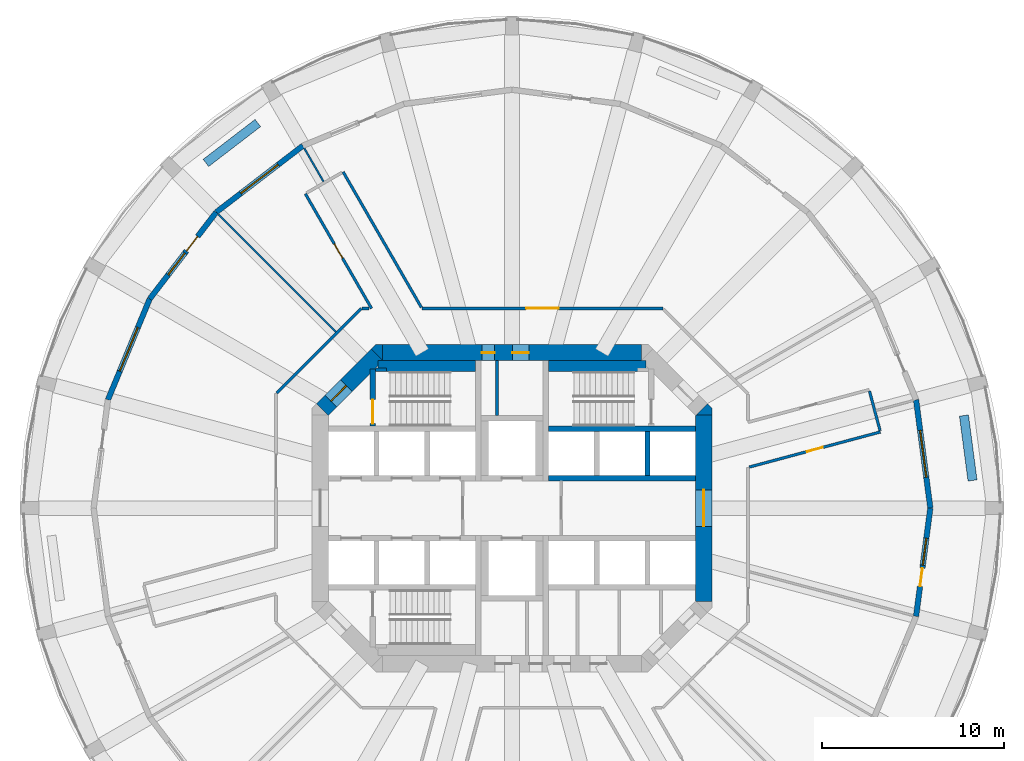
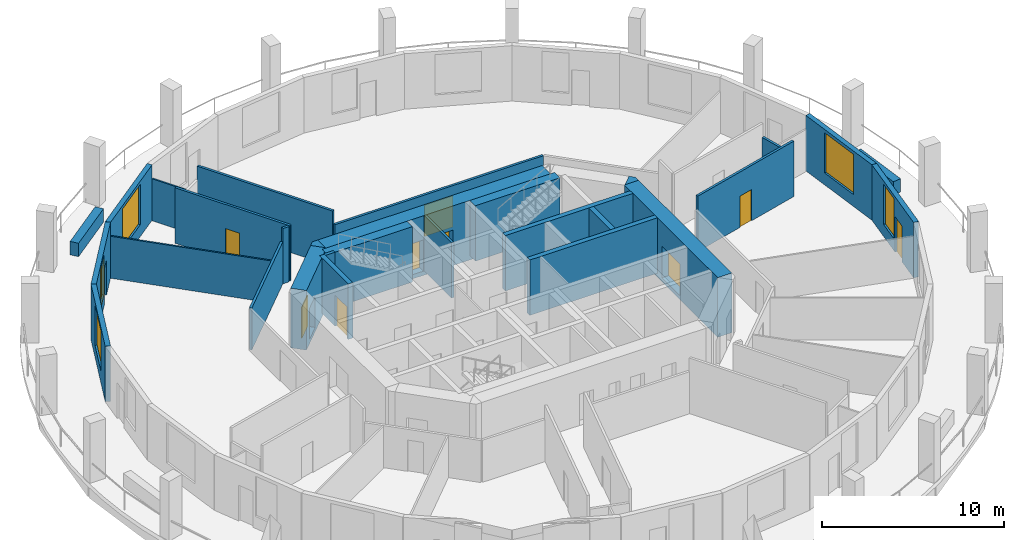
# One storey, part 5 of 9: 29 walls, 10 doors, 5 windows, 15 openings.
"""IFC4 building model written with IfcOpenShell, lengths in metres."""

import ifcopenshell
import ifcopenshell.guid

model = None  # the IFC model being written
_history = None  # IfcOwnerHistory: only IFC2X3 demands one
_inside = {}  # id of a spatial element -> (the spatial element, [elements in it])
_under = {}  # id of a project, library or spatial element -> (it, [spatial elements below it])
_declared = {}  # id of a project -> (the project, [libraries it declares])
_typed = {}  # id of a type object -> (the type object, [elements of that type])
_made_of = {}  # id of a material, layer set ... -> (it, [elements and type objects made of it])


def new_model(schema):
    """Start an empty IFC model of exactly this schema.

    Asked for "IFC4X3", IfcOpenShell would pick the latest addendum, in which some entities
    have other attributes; the version numbers below select the first issue.
    IFC2X3 requires an IfcOwnerHistory on every rooted entity: one is made here for all.
    """
    global model, _history
    if schema == "IFC4X3":
        model = ifcopenshell.file(schema_version=(4, 3, 0, 0))
    else:
        model = ifcopenshell.file(schema=schema)
    _inside.clear()
    _under.clear()
    _declared.clear()
    _typed.clear()
    _made_of.clear()
    _history = None
    if model.schema == "IFC2X3":
        org = make("IfcOrganization", Name="unknown")
        user = make(
            "IfcPersonAndOrganization",
            ThePerson=make("IfcPerson", FamilyName="unknown"),
            TheOrganization=org,
        )
        app = make(
            "IfcApplication",
            ApplicationDeveloper=org,
            Version="unknown",
            ApplicationFullName="unknown",
            ApplicationIdentifier="unknown",
        )
        _history = make(
            "IfcOwnerHistory",
            OwningUser=user,
            OwningApplication=app,
            ChangeAction="ADDED",
            CreationDate=0,
        )
    return model


def make(cls, **values):
    """One entity of the class cls with the attributes given. An attribute that is None is left unset."""
    return model.create_entity(
        cls, **{name: value for name, value in values.items() if value is not None}
    )


def rooted(cls, **values):
    """An entity with a GlobalId (a new one), such as an element, a storey or a relation."""
    return make(cls, GlobalId=ifcopenshell.guid.new(), OwnerHistory=_history, **values)


def si_unit(unit_type, name, prefix=None):
    """IfcSIUnit, for example si_unit("LENGTHUNIT", "METRE", prefix="MILLI")."""
    return make("IfcSIUnit", UnitType=unit_type, Prefix=prefix, Name=name)


def assignment(units):
    """IfcUnitAssignment: the units of a project."""
    return None if units is None else make("IfcUnitAssignment", Units=units)


def point(xyz):
    """IfcCartesianPoint."""
    return None if xyz is None else make("IfcCartesianPoint", Coordinates=xyz)


def direction(xyz):
    """IfcDirection."""
    return None if xyz is None else make("IfcDirection", DirectionRatios=xyz)


def frame(location, z_axis=None, x_axis=None):
    """IfcAxis2Placement3D, a coordinate frame: its origin and axes. An axis left out is left unset."""
    return make(
        "IfcAxis2Placement3D",
        Location=point(location),
        Axis=direction(z_axis),
        RefDirection=direction(x_axis),
    )


def frame_2d(location, x_axis=None):
    """IfcAxis2Placement2D, a coordinate frame in the plane: its origin and x axis."""
    return make(
        "IfcAxis2Placement2D", Location=point(location), RefDirection=direction(x_axis)
    )


def origin():
    """The frame at (0, 0, 0) with its axes left unset."""
    return frame((0.0, 0.0, 0.0))


def place(relative_to, where):
    """IfcLocalPlacement: puts the frame where relative to a parent placement (None: the world)."""
    return make(
        "IfcLocalPlacement", PlacementRelTo=relative_to, RelativePlacement=where
    )


def context(
    kind, dimensions, precision=None, world=None, true_north=None, identifier=None
):
    """IfcGeometricRepresentationContext, for example the 3D "Model" context."""
    return make(
        "IfcGeometricRepresentationContext",
        ContextIdentifier=identifier,
        ContextType=kind,
        CoordinateSpaceDimension=dimensions,
        Precision=precision,
        WorldCoordinateSystem=world,
        TrueNorth=true_north,
    )


def subcontext(parent, identifier, kind, view, scale=None):
    """IfcGeometricRepresentationSubContext, for example "Body" below "Model"."""
    return make(
        "IfcGeometricRepresentationSubContext",
        ContextIdentifier=identifier,
        ContextType=kind,
        ParentContext=parent,
        TargetScale=scale,
        TargetView=view,
    )


def project(units=None, contexts=None):
    """IfcProject with its units and contexts."""
    return rooted(
        "IfcProject",
        Name="project",
        RepresentationContexts=contexts,
        UnitsInContext=assignment(units),
    )


def spatial(cls, under=None, at=None, **own):
    """A site, building, storey or space (cls), placed at a placement, below another one or the project."""
    s = rooted(cls, ObjectPlacement=at, **own)
    if under is not None:
        _under.setdefault(under.id(), (under, []))[1].append(s)
    return s


def polyline(points):
    """IfcPolyline through the points."""
    return make("IfcPolyline", Points=[point(p) for p in points])


def profile(cls, at=None, kind="AREA", **sizes):
    """A parametric profile (cls). Its sizes go by their IFC names, for example OverallWidth=200.0."""
    return make(cls, ProfileType=kind, Position=at, **sizes)


def rectangle(**sizes):
    """IfcRectangleProfileDef."""
    return profile("IfcRectangleProfileDef", **sizes)


def outline(outer, holes=None, kind="AREA"):
    """IfcArbitraryClosedProfileDef: a profile drawn as a closed curve; with holes, ...WithVoids."""
    if holes is None:
        return make("IfcArbitraryClosedProfileDef", ProfileType=kind, OuterCurve=outer)
    return make(
        "IfcArbitraryProfileDefWithVoids",
        ProfileType=kind,
        OuterCurve=outer,
        InnerCurves=holes,
    )


def extrude(swept, where, along, depth):
    """IfcExtrudedAreaSolid: the profile swept, set in the frame where, extruded along a direction by depth."""
    return make(
        "IfcExtrudedAreaSolid",
        SweptArea=swept,
        Position=where,
        ExtrudedDirection=direction(along),
        Depth=depth,
    )


def shape(context_of_items, identifier, shape_type, items):
    """IfcShapeRepresentation: the items that make up one representation, for example the "Body"."""
    return make(
        "IfcShapeRepresentation",
        ContextOfItems=context_of_items,
        RepresentationIdentifier=identifier,
        RepresentationType=shape_type,
        Items=items,
    )


def material(Name=None, Category=None):
    """IfcMaterial."""
    return make("IfcMaterial", Name=Name, Category=Category)


def layer(
    of_material, thickness, ventilated=None, Name=None, Category=None, Priority=None
):
    """IfcMaterialLayer: one layer of a wall or slab, of a material (None: an air gap)."""
    return make(
        "IfcMaterialLayer",
        Material=of_material,
        LayerThickness=thickness,
        IsVentilated=ventilated,
        Name=Name,
        Category=Category,
        Priority=Priority,
    )


def layer_set(layers, Name=None):
    """IfcMaterialLayerSet."""
    return make("IfcMaterialLayerSet", MaterialLayers=layers, LayerSetName=Name)


def made_of(thing, what):
    """Note that an element or type object is made of a material, layer set ...; save() writes the relation."""
    if what is not None:
        _made_of.setdefault(what.id(), (what, []))[1].append(thing)
    return thing


def type_object(cls, material=None, **own):
    """A type object (cls), such as IfcWallType, which elements share."""
    return made_of(rooted(cls, **own), material)


def element(
    cls,
    number,
    at=None,
    inside=None,
    cuts=None,
    type_object=None,
    material=None,
    context=None,
    identifier="Body",
    shape_type=None,
    held_by="IfcProductDefinitionShape",
    body=None,
    shapes=None,
    **own,
):
    """One element of the class cls, such as IfcWall. Its Tag is "e" and its number.

    at: its placement. inside: the storey or other place that contains it. cuts: it is an
    opening in that element (IfcRelVoidsElement). A single representation is given by context,
    identifier, shape_type and body (its items); several are given by shapes. held_by: the class
    of the entity that holds the representations. save() writes the other relations.
    """
    e = rooted(cls, Tag="e%d" % number, ObjectPlacement=at, **own)
    if body is not None:
        shapes = [shape(context, identifier, shape_type, body)]
    if shapes is not None:
        e.Representation = make(held_by, Representations=shapes)
    if inside is not None:
        _inside.setdefault(inside.id(), (inside, []))[1].append(e)
    if cuts is not None:
        rooted(
            "IfcRelVoidsElement", RelatingBuildingElement=cuts, RelatedOpeningElement=e
        )
    if type_object is not None:
        _typed.setdefault(type_object.id(), (type_object, []))[1].append(e)
    return made_of(e, material)


def fill(opening, filler):
    """IfcRelFillsElement: the door or window that sits in an opening."""
    return rooted(
        "IfcRelFillsElement",
        RelatingOpeningElement=opening,
        RelatedBuildingElement=filler,
    )


def aggregate(whole, parts):
    """IfcRelAggregates: a whole, such as a stair, and the parts it consists of."""
    return rooted("IfcRelAggregates", RelatingObject=whole, RelatedObjects=parts)


def save(model, path):
    """Write the relations noted so far, then the file.

    IfcRelAggregates (storeys below a building ...), IfcRelContainedInSpatialStructure (elements
    in a storey), IfcRelDefinesByType, IfcRelAssociatesMaterial and IfcRelDeclares: one each for
    every whole, place, type object, material and project.
    """
    for whole, parts in _under.values():
        aggregate(whole, parts)
    for where, things in _inside.values():
        rooted(
            "IfcRelContainedInSpatialStructure",
            RelatedElements=things,
            RelatingStructure=where,
        )
    for kind, things in _typed.values():
        rooted("IfcRelDefinesByType", RelatedObjects=things, RelatingType=kind)
    for what, things in _made_of.values():
        rooted("IfcRelAssociatesMaterial", RelatedObjects=things, RelatingMaterial=what)
    for by, libraries in _declared.values():
        rooted("IfcRelDeclares", RelatingContext=by, RelatedDefinitions=libraries)
    model.write(path)


model = new_model("IFC4")

# Units and contexts
model_context = context("Model", 3, precision=1e-05, world=origin(), true_north=direction((0.0, 1.0)))
body_context = subcontext(model_context, "Body", "Model", "MODEL_VIEW")
ifc_project = project(units=[si_unit("LENGTHUNIT", "METRE"), si_unit("AREAUNIT", "SQUARE_METRE"), si_unit("VOLUMEUNIT", "CUBIC_METRE"), si_unit("PLANEANGLEUNIT", "RADIAN"), si_unit("MASSUNIT", "GRAM", prefix="KILO")], contexts=[model_context])

# Site, building, storey
site_placement = place(None, origin())
site = spatial("IfcSite", under=ifc_project, at=site_placement, CompositionType="ELEMENT")
building_placement = place(site_placement, origin())
building = spatial("IfcBuilding", under=site, at=building_placement, Name="Torre Triforio", CompositionType="ELEMENT")
storey_placement = place(building_placement, frame((0.0, 0.0, 67.0)))
storey = spatial("IfcBuildingStorey", under=building, at=storey_placement, Name="L14", CompositionType="ELEMENT", Elevation=67.0)

# Wall, openings, doors
ifc_material_1 = material(Name="Concrete C60", Category="concrete")
ifc_layer_1 = layer(ifc_material_1, 0.89990234375)
ifc_layer_set_1 = layer_set([ifc_layer_1], Name="Concrete C60")
wall_type_1 = type_object("IfcWallType", Name="Core wall 900 mm C60 EI 120", PredefinedType="SHEAR", material=ifc_layer_set_1)
wall_1_placement = place(storey_placement, frame((-7.1298828125, 8.550048828125, -0.280029296875), z_axis=(0.0, 0.0, 1.0), x_axis=(1.0, 0.0, 0.0)))
wall_1 = element("IfcWall", 1, at=wall_1_placement, inside=storey, type_object=wall_type_1, Name="Core wall", PredefinedType="SHEAR", context=body_context, shape_type="SweptSolid", body=[
    extrude(rectangle(XDim=14.259765625, YDim=0.89990234375, at=frame_2d((7.1298828125, 0.0))), origin(), (0.0, 0.0, 1.0), 4.0),
])
opening_1_placement = place(wall_1_placement, frame((5.47998046875, 0.0, 0.280029296875)))
opening_1 = element("IfcOpeningElement", 2, at=opening_1_placement, cuts=wall_1, Name="Opening RISER-N", PredefinedType="OPENING", context=body_context, shape_type="SweptSolid", body=[
    extrude(rectangle(XDim=0.699951171875, YDim=2.10009765625, at=frame_2d((0.35009765625, 1.050048828125))), frame((0.0, 0.4599609375, 0.0), z_axis=(0.0, -1.0, 0.0), x_axis=(1.0, 0.0, 0.0)), (0.0, 0.0, 1.0), 0.919921875),
])
opening_2_placement = place(wall_1_placement, frame((7.155029296875, 0.0, 0.280029296875)))
opening_2 = element("IfcOpeningElement", 3, at=opening_2_placement, cuts=wall_1, Name="Opening NE-01", PredefinedType="OPENING", context=body_context, shape_type="SweptSolid", body=[
    extrude(rectangle(XDim=0.89990234375, YDim=2.10009765625, at=frame_2d((0.449951171875, 1.050048828125))), frame((0.0, 0.4599609375, 0.0), z_axis=(0.0, -1.0, 0.0), x_axis=(1.0, 0.0, 0.0)), (0.0, 0.0, 1.0), 0.919921875),
])
ifc_material_2 = material(Name="Hollow metal fire door leaf")
door_type_1 = type_object("IfcDoorType", Name="Riser door 700 x 2100 EI 60", OperationType="NOTDEFINED", PredefinedType="DOOR", material=ifc_material_2)
door_1_placement = place(opening_1_placement, origin())
door_1 = element("IfcDoor", 4, at=door_1_placement, inside=storey, type_object=door_type_1, Name="Core door RISER-N", OperationType="SINGLE_SWING_LEFT", OverallHeight=2.10009765625, OverallWidth=0.699951171875, PredefinedType="DOOR", context=body_context, shape_type="SweptSolid", body=[
    extrude(rectangle(XDim=0.699951171875, YDim=2.10009765625, at=frame_2d((0.35009765625, 1.050048828125))), frame((0.0, 0.02490234375, 0.0), z_axis=(0.0, -1.0, 0.0), x_axis=(1.0, 0.0, 0.0)), (0.0, 0.0, 1.0), 0.050048828125),
])
fill(opening_1, door_1)
door_type_2 = type_object("IfcDoorType", Name="Room door 900 x 2100 EI 60", OperationType="NOTDEFINED", PredefinedType="DOOR", material=ifc_material_2)
door_2_placement = place(opening_2_placement, origin())
door_2 = element("IfcDoor", 5, at=door_2_placement, inside=storey, type_object=door_type_2, Name="Core door NE-01", OperationType="SINGLE_SWING_RIGHT", OverallHeight=2.10009765625, OverallWidth=0.89990234375, PredefinedType="DOOR", context=body_context, shape_type="SweptSolid", body=[
    extrude(rectangle(XDim=0.89990234375, YDim=2.10009765625, at=frame_2d((0.449951171875, 1.050048828125))), frame((0.0, 0.02490234375, 0.0), z_axis=(0.0, -1.0, 0.0), x_axis=(1.0, 0.0, 0.0)), (0.0, 0.0, 1.0), 0.050048828125),
])
fill(opening_2, door_2)

# Wall, opening, door
wall_2_placement = place(storey_placement, frame((10.550048828125, -5.1298828125, -0.280029296875), z_axis=(0.0, 0.0, 1.0), x_axis=(0.0, 1.0, 0.0)))
wall_2 = element("IfcWall", 6, at=wall_2_placement, inside=storey, type_object=wall_type_1, Name="Core wall", PredefinedType="SHEAR", context=body_context, shape_type="SweptSolid", body=[
    extrude(rectangle(XDim=10.259765625, YDim=0.89990234375, at=frame_2d((5.1298828125, 0.0))), origin(), (0.0, 0.0, 1.0), 4.0),
])
opening_3_placement = place(wall_2_placement, frame((4.1298828125, 0.0, 0.280029296875)))
opening_3 = element("IfcOpeningElement", 7, at=opening_3_placement, cuts=wall_2, Name="Opening E-RING", PredefinedType="OPENING", context=body_context, shape_type="SweptSolid", body=[
    extrude(rectangle(XDim=2.0, YDim=2.10009765625, at=frame_2d((1.0, 1.050048828125))), frame((0.0, 0.4599609375, 0.0), z_axis=(0.0, -1.0, 0.0), x_axis=(1.0, 0.0, 0.0)), (0.0, 0.0, 1.0), 0.919921875),
])
door_type_3 = type_object("IfcDoorType", Name="Lobby door 2000 x 2100 EI 60", OperationType="DOUBLE_DOOR_SINGLE_SWING", PredefinedType="DOOR", material=ifc_material_2)
door_3_placement = place(opening_3_placement, origin())
door_3 = element("IfcDoor", 8, at=door_3_placement, inside=storey, type_object=door_type_3, Name="Core door E-RING", OperationType="DOUBLE_DOOR_SINGLE_SWING", OverallHeight=2.10009765625, OverallWidth=2.0, PredefinedType="DOOR", context=body_context, shape_type="SweptSolid", body=[
    extrude(rectangle(XDim=2.0, YDim=2.10009765625, at=frame_2d((1.0, 1.050048828125))), frame((0.0, 0.02490234375, 0.0), z_axis=(0.0, -1.0, 0.0), x_axis=(1.0, 0.0, 0.0)), (0.0, 0.0, 1.0), 0.050048828125),
])
fill(opening_3, door_3)

wall_3_placement = place(storey_placement, frame((-10.418212890625, 5.418212890625, -0.280029296875), z_axis=(0.0, 0.0, 1.0), x_axis=(0.707106781187, 0.707106781187, 0.0)))
wall_3 = element("IfcWall", 9, at=wall_3_placement, inside=storey, type_object=wall_type_1, Name="Core wall", PredefinedType="SHEAR", context=body_context, shape_type="SweptSolid", body=[
    extrude(rectangle(XDim=4.24267578125, YDim=0.89990234375, at=frame_2d((2.121337890625, 0.0))), origin(), (0.0, 0.0, 1.0), 4.0),
])
opening_4_placement = place(wall_3_placement, frame((0.64990234375, 0.0, 0.280029296875)))
opening_4 = element("IfcOpeningElement", 10, at=opening_4_placement, cuts=wall_3, Name="Opening ST1-EXIT", PredefinedType="OPENING", context=body_context, shape_type="SweptSolid", body=[
    extrude(rectangle(XDim=1.199951171875, YDim=2.10009765625, at=frame_2d((0.60009765625, 1.050048828125))), frame((0.0, 0.4599609375, 0.0), z_axis=(0.0, -1.0, 0.0), x_axis=(1.0, 0.0, 0.0)), (0.0, 0.0, 1.0), 0.919921875),
])
door_type_4 = type_object("IfcDoorType", Name="Stair lobby door 1200 x 2100 EI 60", OperationType="NOTDEFINED", PredefinedType="DOOR", material=ifc_material_2)
door_4_placement = place(opening_4_placement, origin())
door_4 = element("IfcDoor", 11, at=door_4_placement, inside=storey, type_object=door_type_4, Name="Core door ST1-EXIT", OperationType="SINGLE_SWING_RIGHT", OverallHeight=2.10009765625, OverallWidth=1.199951171875, PredefinedType="DOOR", context=body_context, shape_type="SweptSolid", body=[
    extrude(rectangle(XDim=1.199951171875, YDim=2.10009765625, at=frame_2d((0.60009765625, 1.050048828125))), frame((0.0, 0.02490234375, 0.0), z_axis=(0.0, -1.0, 0.0), x_axis=(1.0, 0.0, 0.0)), (0.0, 0.0, 1.0), 0.050048828125),
])
fill(opening_4, door_4)

# Walls
wall_4_placement = place(storey_placement, frame((0.0, 0.0, -0.280029296875)))
element("IfcWall", 12, at=wall_4_placement, inside=storey, type_object=wall_type_1, Name="Core wall", PredefinedType="SHEAR", context=body_context, shape_type="SweptSolid", body=[
    extrude(outline(polyline([(11.0, 5.472900390625), (11.0, 5.1298828125), (10.1298828125, 5.1298828125), (10.736328125, 5.736328125), (11.0, 5.472900390625)])), origin(), (0.0, 0.0, 1.0), 4.0),
])
wall_5_placement = place(storey_placement, frame((0.0, 0.0, -0.280029296875)))
element("IfcWall", 13, at=wall_5_placement, inside=storey, type_object=wall_type_1, Name="Core wall", PredefinedType="SHEAR", context=body_context, shape_type="SweptSolid", body=[
    extrude(outline(polyline([(-7.472900390625, 9.0), (-7.1298828125, 9.0), (-7.1298828125, 8.1298828125), (-7.736328125, 8.736328125), (-7.472900390625, 9.0)])), origin(), (0.0, 0.0, 1.0), 4.0),
])
ifc_material_3 = material(Name="Plasterboard on metal studs")
ifc_layer_2 = layer(ifc_material_3, 0.14990234375)
ifc_layer_set_2 = layer_set([ifc_layer_2], Name="Plasterboard on metal studs")
wall_type_2 = type_object("IfcWallType", Name="Corridor and tenancy wall 150 mm EI 60", PredefinedType="PARTITIONING", material=ifc_layer_set_2)
wall_6_placement = place(storey_placement, frame((-12.93798828125, 6.327880859375, 0.0), z_axis=(0.0, 0.0, 1.0), x_axis=(0.707088206597, 0.707125355289, 0.0)))
element("IfcWall", 14, at=wall_6_placement, inside=storey, type_object=wall_type_2, Name="Partition 4", PredefinedType="PARTITIONING", context=body_context, shape_type="SweptSolid", body=[
    extrude(rectangle(XDim=6.572021484375, YDim=0.14990234375, at=frame_2d((3.2861328125, 0.0))), origin(), (0.0, 0.0, 1.0), 2.820068359375),
])
wall_7_placement = place(storey_placement, frame((-8.23828125, 10.97509765625, 0.0), z_axis=(0.0, 0.0, 1.0), x_axis=(1.0, 0.0, 0.0)))
element("IfcWall", 15, at=wall_7_placement, inside=storey, type_object=wall_type_2, Name="Partition 5", PredefinedType="PARTITIONING", context=body_context, shape_type="SweptSolid", body=[
    extrude(rectangle(XDim=0.38623046875, YDim=0.14990234375, at=frame_2d((0.193115234375, 0.0))), origin(), (0.0, 0.0, 1.0), 3.719970703125),
])

# Wall, opening, door
wall_8_placement = place(storey_placement, frame((-7.72216796875, 10.97509765625, 0.0), z_axis=(0.0, 0.0, 1.0), x_axis=(-0.499993290699, 0.866029277366, 0.0)))
wall_8 = element("IfcWall", 16, at=wall_8_placement, inside=storey, type_object=wall_type_2, Name="Partition 6", PredefinedType="PARTITIONING", context=body_context, shape_type="SweptSolid", body=[
    extrude(rectangle(XDim=7.28271484375, YDim=0.14990234375, at=frame_2d((3.641357421875, 0.0))), origin(), (0.0, 0.0, 1.0), 3.719970703125),
])
opening_5_placement = place(wall_8_placement, frame((3.19140625, 0.0, 0.0)))
opening_5 = element("IfcOpeningElement", 17, at=opening_5_placement, cuts=wall_8, Name="Opening N4-12", PredefinedType="OPENING", context=body_context, shape_type="SweptSolid", body=[
    extrude(rectangle(XDim=0.89990234375, YDim=2.10009765625, at=frame_2d((0.449951171875, 1.050048828125))), frame((0.0, 0.0849609375, 0.0), z_axis=(0.0, -1.0, 0.0), x_axis=(1.0, 0.0, 0.0)), (0.0, 0.0, 1.0), 0.169921875),
])
ifc_material_4 = material(Name="Timber", Category="wood")
door_type_5 = type_object("IfcDoorType", Name="Door 900 x 2100 single leaf EI 30", OperationType="NOTDEFINED", PredefinedType="DOOR", material=ifc_material_4)
door_5_placement = place(opening_5_placement, origin())
door_5 = element("IfcDoor", 18, at=door_5_placement, inside=storey, type_object=door_type_5, Name="Door N4-12", OperationType="SINGLE_SWING_LEFT", OverallHeight=2.10009765625, OverallWidth=0.89990234375, PredefinedType="DOOR", context=body_context, shape_type="SweptSolid", body=[
    extrude(rectangle(XDim=0.89990234375, YDim=2.10009765625, at=frame_2d((0.449951171875, 1.050048828125))), frame((0.0, 0.02490234375, 0.0), z_axis=(0.0, -1.0, 0.0), x_axis=(1.0, 0.0, 0.0)), (0.0, 0.0, 1.0), 0.050048828125),
])
fill(opening_5, door_5)

# Wall
wall_9_placement = place(storey_placement, frame((-9.28515625, 18.482421875, 0.0), z_axis=(0.0, 0.0, 1.0), x_axis=(0.49998445949, -0.866034375916, 0.0)))
element("IfcWall", 19, at=wall_9_placement, inside=storey, type_object=wall_type_2, Name="Partition 8", PredefinedType="PARTITIONING", context=body_context, shape_type="SweptSolid", body=[
    extrude(rectangle(XDim=8.603759765625, YDim=0.14990234375, at=frame_2d((4.3017578125, 0.0))), origin(), (0.0, 0.0, 1.0), 3.719970703125),
])

# Wall, opening, door
wall_10_placement = place(storey_placement, frame((-4.95068359375, 10.97509765625, 0.0), z_axis=(0.0, 0.0, 1.0), x_axis=(1.0, 0.0, 0.0)))
wall_10 = element("IfcWall", 20, at=wall_10_placement, inside=storey, type_object=wall_type_2, Name="Partition 9", PredefinedType="PARTITIONING", context=body_context, shape_type="SweptSolid", body=[
    extrude(rectangle(XDim=13.24169921875, YDim=0.14990234375, at=frame_2d((6.620849609375, 0.0))), origin(), (0.0, 0.0, 1.0), 2.820068359375),
])
opening_6_placement = place(wall_10_placement, frame((5.720703125, 0.0, 0.0)))
opening_6 = element("IfcOpeningElement", 21, at=opening_6_placement, cuts=wall_10, Name="Opening N4-11", PredefinedType="OPENING", context=body_context, shape_type="SweptSolid", body=[
    extrude(rectangle(XDim=1.800048828125, YDim=2.10009765625, at=frame_2d((0.89990234375, 1.050048828125))), frame((0.0, 0.0849609375, 0.0), z_axis=(0.0, -1.0, 0.0), x_axis=(1.0, 0.0, 0.0)), (0.0, 0.0, 1.0), 0.169921875),
])
door_type_6 = type_object("IfcDoorType", Name="Door 1800 x 2100 double leaf EI 30", OperationType="DOUBLE_DOOR_SINGLE_SWING", PredefinedType="DOOR", material=ifc_material_4)
door_6_placement = place(opening_6_placement, origin())
door_6 = element("IfcDoor", 22, at=door_6_placement, inside=storey, type_object=door_type_6, Name="Door N4-11", OperationType="DOUBLE_DOOR_SINGLE_SWING", OverallHeight=2.10009765625, OverallWidth=1.800048828125, PredefinedType="DOOR", context=body_context, shape_type="SweptSolid", body=[
    extrude(rectangle(XDim=1.800048828125, YDim=2.10009765625, at=frame_2d((0.89990234375, 1.050048828125))), frame((0.0, 0.02490234375, 0.0), z_axis=(0.0, -1.0, 0.0), x_axis=(1.0, 0.0, 0.0)), (0.0, 0.0, 1.0), 0.050048828125),
])
fill(opening_6, door_6)

# Wall
wall_11_placement = place(storey_placement, frame((19.65380859375, 6.430908203125, 0.0), z_axis=(0.0, 0.0, 1.0), x_axis=(0.258891558609, -0.965906393436, 0.0)))
element("IfcWall", 23, at=wall_11_placement, inside=storey, type_object=wall_type_2, Name="Partition 13", PredefinedType="PARTITIONING", context=body_context, shape_type="SweptSolid", body=[
    extrude(rectangle(XDim=2.25, YDim=0.14990234375, at=frame_2d((1.125, 0.0))), origin(), (0.0, 0.0, 1.0), 2.820068359375),
])

# Wall, opening, door
wall_12_placement = place(storey_placement, frame((20.255615234375, 4.185302734375, 0.0), z_axis=(0.0, 0.0, 1.0), x_axis=(-0.965924840231, -0.258822725092, 0.0)))
wall_12 = element("IfcWall", 24, at=wall_12_placement, inside=storey, type_object=wall_type_2, Name="Partition 14", PredefinedType="PARTITIONING", context=body_context, shape_type="SweptSolid", body=[
    extrude(rectangle(XDim=7.465087890625, YDim=0.14990234375, at=frame_2d((3.732421875, 0.0))), origin(), (0.0, 0.0, 1.0), 3.719970703125),
])
opening_7_placement = place(wall_12_placement, frame((3.282470703125, 0.0, 0.0)))
opening_7 = element("IfcOpeningElement", 25, at=opening_7_placement, cuts=wall_12, Name="Opening N4-09", PredefinedType="OPENING", context=body_context, shape_type="SweptSolid", body=[
    extrude(rectangle(XDim=0.89990234375, YDim=2.10009765625, at=frame_2d((0.449951171875, 1.050048828125))), frame((0.0, 0.0849609375, 0.0), z_axis=(0.0, -1.0, 0.0), x_axis=(1.0, 0.0, 0.0)), (0.0, 0.0, 1.0), 0.169921875),
])
door_7_placement = place(opening_7_placement, origin())
door_7 = element("IfcDoor", 26, at=door_7_placement, inside=storey, type_object=door_type_5, Name="Door N4-09", OperationType="SINGLE_SWING_LEFT", OverallHeight=2.10009765625, OverallWidth=0.89990234375, PredefinedType="DOOR", context=body_context, shape_type="SweptSolid", body=[
    extrude(rectangle(XDim=0.89990234375, YDim=2.10009765625, at=frame_2d((0.449951171875, 1.050048828125))), frame((0.0, 0.02490234375, 0.0), z_axis=(0.0, -1.0, 0.0), x_axis=(1.0, 0.0, 0.0)), (0.0, 0.0, 1.0), 0.050048828125),
])
fill(opening_7, door_7)

# Walls
ifc_layer_3 = layer(ifc_material_3, 0.10009765625)
ifc_layer_set_3 = layer_set([ifc_layer_3], Name="Plasterboard on metal studs")
wall_type_3 = type_object("IfcWallType", Name="Partition 100 mm board on metal studs", PredefinedType="PARTITIONING", material=ifc_layer_set_3)
wall_13_placement = place(storey_placement, frame((-10.36181640625, 17.947265625, 0.0), z_axis=(0.0, 0.0, 1.0), x_axis=(-0.500065834316, 0.865987390988, 0.0)))
element("IfcWall", 27, at=wall_13_placement, inside=storey, type_object=wall_type_3, Name="Partition 31", PredefinedType="PARTITIONING", context=body_context, shape_type="SweptSolid", body=[
    extrude(rectangle(XDim=2.113037109375, YDim=0.10009765625, at=frame_2d((1.056640625, 0.0))), origin(), (0.0, 0.0, 1.0), 2.820068359375),
])
wall_14_placement = place(storey_placement, frame((-9.68603515625, 9.68603515625, 0.0), z_axis=(0.0, 0.0, 1.0), x_axis=(-0.707106781187, 0.707106781187, 0.0)))
element("IfcWall", 28, at=wall_14_placement, inside=storey, type_object=wall_type_3, Name="Partition 32", PredefinedType="PARTITIONING", context=body_context, shape_type="SweptSolid", body=[
    extrude(rectangle(XDim=9.138427734375, YDim=0.10009765625, at=frame_2d((4.5693359375, 0.0))), origin(), (0.0, 0.0, 1.0), 2.820068359375),
])
ifc_material_5 = material(Name="Block and board partition")
ifc_layer_4 = layer(ifc_material_5, 0.14990234375)
ifc_layer_set_4 = layer_set([ifc_layer_4], Name="Block and board partition")
wall_type_4 = type_object("IfcWallType", Name="Partition 150 mm EI 120", PredefinedType="PARTITIONING", material=ifc_layer_set_4)
wall_15_placement = place(storey_placement, frame((-0.824951171875, 5.10009765625, 0.0), z_axis=(0.0, 0.0, 1.0), x_axis=(0.0, 1.0, 0.0)))
element("IfcWall", 29, at=wall_15_placement, inside=storey, type_object=wall_type_4, Name="Partition", PredefinedType="PARTITIONING", context=body_context, shape_type="SweptSolid", body=[
    extrude(rectangle(XDim=3.0, YDim=0.14990234375, at=frame_2d((1.5, 0.0))), origin(), (0.0, 0.0, 1.0), 3.719970703125),
])
ifc_material_6 = material(Name="Limestone cladding", Category="masonry")
ifc_layer_5 = layer(ifc_material_6, 0.10009765625)
ifc_material_7 = material(Name="Concrete C40", Category="concrete")
ifc_layer_6 = layer(ifc_material_7, 0.39990234375)
ifc_layer_set_5 = layer_set([ifc_layer_5, ifc_layer_6], Name="Limestone cladding / Concrete C40")
wall_type_5 = type_object("IfcWallType", Name="Planter wall 500", PredefinedType="PARAPET", material=ifc_layer_set_5)
wall_16_placement = place(storey_placement, frame((25.318603515625, 1.517578125, 0.0), z_axis=(0.0, 0.0, 1.0), x_axis=(-0.130542222659, 0.991442750795, 0.0)))
element("IfcWall", 30, at=wall_16_placement, inside=storey, type_object=wall_type_5, Name="Planter L14 bay 01", PredefinedType="PARAPET", context=body_context, shape_type="SweptSolid", body=[
    extrude(rectangle(XDim=3.60009765625, YDim=0.5, at=frame_2d((1.800048828125, 0.0))), origin(), (0.0, 0.0, 1.0), 0.89990234375),
])
wall_17_placement = place(storey_placement, frame((-13.9736328125, 21.16748046875, 0.0), z_axis=(0.0, 0.0, 1.0), x_axis=(-0.793359599829, -0.608753271334, 0.0)))
element("IfcWall", 31, at=wall_17_placement, inside=storey, type_object=wall_type_5, Name="Planter L14 bay 09", PredefinedType="PARAPET", context=body_context, shape_type="SweptSolid", body=[
    extrude(rectangle(XDim=3.599853515625, YDim=0.5, at=frame_2d((1.7998046875, 0.0))), origin(), (0.0, 0.0, 1.0), 0.89990234375),
])
ifc_layer_7 = layer(ifc_material_1, 0.300048828125)
ifc_layer_set_6 = layer_set([ifc_layer_7], Name="Concrete C60")
wall_type_6 = type_object("IfcWallType", Name="Shaft wall 300 mm C60 EI 120", PredefinedType="SOLIDWALL", material=ifc_layer_set_6)
for number, where, z_axis, x_axis, name in (
    (32, (2.0, 4.35009765625, 0.0), (0.0, 0.0, 1.0), (1.0, 0.0, 0.0), "Shaft wall"),
    (33, (2.0, 1.64990234375, 0.0), (0.0, 0.0, 1.0), (1.0, 0.0, 0.0), "Shaft wall"),
):
    element("IfcWall", number, at=place(storey_placement, frame(where, z_axis=z_axis, x_axis=x_axis)), inside=storey, type_object=wall_type_6, Name=name, PredefinedType="SOLIDWALL", context=body_context, shape_type="SweptSolid", body=[
        extrude(rectangle(XDim=8.10009765625, YDim=0.300048828125, at=frame_2d((4.050048828125, 0.0))), origin(), (0.0, 0.0, 1.0), 3.719970703125),
    ])
wall_18_placement = place(storey_placement, frame((7.449951171875, 1.800048828125, 0.0), z_axis=(0.0, 0.0, 1.0), x_axis=(0.0, 1.0, 0.0)))
element("IfcWall", 34, at=wall_18_placement, inside=storey, type_object=wall_type_6, Name="Shaft wall", PredefinedType="SOLIDWALL", context=body_context, shape_type="SweptSolid", body=[
    extrude(rectangle(XDim=2.39990234375, YDim=0.300048828125, at=frame_2d((1.199951171875, 0.0))), origin(), (0.0, 0.0, 1.0), 3.719970703125),
])
ifc_layer_8 = layer(ifc_material_1, 0.199951171875)
ifc_layer_set_7 = layer_set([ifc_layer_8], Name="Concrete C60")
wall_type_7 = type_object("IfcWallType", Name="Stair wall 200 mm C60 EI 120", PredefinedType="SHEAR", material=ifc_layer_set_7)
wall_19_placement = place(storey_placement, frame((-7.5, 7.60009765625, 0.0), z_axis=(0.0, 0.0, 1.0), x_axis=(1.0, 0.0, 0.0)))
element("IfcWall", 35, at=wall_19_placement, inside=storey, type_object=wall_type_7, Name="Stair wall", PredefinedType="SHEAR", context=body_context, shape_type="SweptSolid", body=[
    extrude(rectangle(XDim=0.60009765625, YDim=0.199951171875, at=frame_2d((0.300048828125, 0.0))), origin(), (0.0, 0.0, 1.0), 3.719970703125),
])

# Wall, opening, door
ifc_layer_9 = layer(ifc_material_1, 0.300048828125)
ifc_layer_set_8 = layer_set([ifc_layer_9], Name="Concrete C60")
wall_type_8 = type_object("IfcWallType", Name="Stair wall 300 mm C60 EI 120", PredefinedType="SHEAR", material=ifc_layer_set_8)
wall_20_placement = place(storey_placement, frame((-7.64990234375, 4.5, 0.0), z_axis=(0.0, 0.0, 1.0), x_axis=(0.0, 1.0, 0.0)))
wall_20 = element("IfcWall", 36, at=wall_20_placement, inside=storey, type_object=wall_type_8, Name="Stair wall", PredefinedType="SHEAR", context=body_context, shape_type="SweptSolid", body=[
    extrude(rectangle(XDim=3.139892578125, YDim=0.300048828125, at=frame_2d((1.56982421875, 0.0))), origin(), (0.0, 0.0, 1.0), 3.719970703125),
])
opening_8_placement = place(wall_20_placement, frame((0.139892578125, 0.0, 0.0)))
opening_8 = element("IfcOpeningElement", 37, at=opening_8_placement, cuts=wall_20, Name="Opening ST1-STA", PredefinedType="OPENING", context=body_context, shape_type="SweptSolid", body=[
    extrude(rectangle(XDim=1.320068359375, YDim=2.10009765625, at=frame_2d((0.66015625, 1.050048828125))), frame((0.0, 0.159912109375, 0.0), z_axis=(0.0, -1.0, 0.0), x_axis=(1.0, 0.0, 0.0)), (0.0, 0.0, 1.0), 0.320068359375),
])
door_type_7 = type_object("IfcDoorType", Name="Stair door 1320 x 2100 EI 90", OperationType="DOUBLE_DOOR_SINGLE_SWING", PredefinedType="DOOR", material=ifc_material_2)
door_8_placement = place(opening_8_placement, origin())
door_8 = element("IfcDoor", 38, at=door_8_placement, inside=storey, type_object=door_type_7, Name="Core door ST1-ST", OperationType="DOUBLE_DOOR_SINGLE_SWING", OverallHeight=2.10009765625, OverallWidth=1.320068359375, PredefinedType="DOOR", context=body_context, shape_type="SweptSolid", body=[
    extrude(rectangle(XDim=1.320068359375, YDim=2.10009765625, at=frame_2d((0.66015625, 1.050048828125))), frame((0.0, 0.02490234375, 0.0), z_axis=(0.0, -1.0, 0.0), x_axis=(1.0, 0.0, 0.0)), (0.0, 0.0, 1.0), 0.050048828125),
])
fill(opening_8, door_8)

# Walls
ifc_layer_10 = layer(ifc_material_1, 0.60009765625)
ifc_layer_set_9 = layer_set([ifc_layer_10], Name="Concrete C60")
wall_type_9 = type_object("IfcWallType", Name="Stair wall 600 mm C60 EI 120", PredefinedType="SHEAR", material=ifc_layer_set_9)
for number, where, z_axis, x_axis, name in (
    (39, (-7.3701171875, 7.800048828125, 0.0), (0.0, 0.0, 1.0), (1.0, 0.0, 0.0), "Stair wall"),
    (40, (2.0, 7.800048828125, 0.0), (0.0, 0.0, 1.0), (1.0, 0.0, 0.0), "Stair wall"),
):
    element("IfcWall", number, at=place(storey_placement, frame(where, z_axis=z_axis, x_axis=x_axis)), inside=storey, type_object=wall_type_9, Name=name, PredefinedType="SHEAR", context=body_context, shape_type="SweptSolid", body=[
        extrude(rectangle(XDim=5.3701171875, YDim=0.60009765625, at=frame_2d((2.68505859375, 0.0))), origin(), (0.0, 0.0, 1.0), 3.719970703125),
    ])

# Wall, opening, window
ifc_layer_11 = layer(ifc_material_6, 0.10009765625)
ifc_layer_12 = layer(ifc_material_7, 0.199951171875)
ifc_layer_set_10 = layer_set([ifc_layer_11, ifc_layer_12], Name="Limestone cladding / Concrete C40")
wall_type_10 = type_object("IfcWallType", Name="Stone-faced composite wall 300", PredefinedType="STANDARD", material=ifc_layer_set_10)
wall_21_placement = place(storey_placement, frame((23.0, 0.0, 0.0), z_axis=(0.0, 0.0, 1.0), x_axis=(-0.130522880875, 0.991445297315, 0.0)))
wall_21 = element("IfcWall", 41, at=wall_21_placement, inside=storey, type_object=wall_type_10, Name="External wall L14 bay 01", PredefinedType="STANDARD", context=body_context, shape_type="SweptSolid", body=[
    extrude(rectangle(XDim=6.004150390625, YDim=0.300048828125, at=frame_2d((3.001953125, 0.0))), origin(), (0.0, 0.0, 1.0), 3.719970703125),
])
opening_9_placement = place(wall_21_placement, frame((1.7021484375, 0.0, 0.800048828125)))
opening_9 = element("IfcOpeningElement", 42, at=opening_9_placement, cuts=wall_21, Name="Opening N4-W01", PredefinedType="OPENING", context=body_context, shape_type="SweptSolid", body=[
    extrude(rectangle(XDim=2.60009765625, YDim=2.699951171875, at=frame_2d((1.300048828125, 1.35009765625))), frame((0.0, 0.159912109375, 0.0), z_axis=(0.0, -1.0, 0.0), x_axis=(1.0, 0.0, 0.0)), (0.0, 0.0, 1.0), 0.320068359375),
])
ifc_material_8 = material(Name="Aluminium frame with clear double glazing", Category="aluminium")
window_type_1 = type_object("IfcWindowType", Name="Punched window 2600 x 2700", PartitioningType="DOUBLE_PANEL_VERTICAL", PredefinedType="WINDOW", material=ifc_material_8)
window_1_placement = place(opening_9_placement, origin())
window_1 = element("IfcWindow", 43, at=window_1_placement, inside=storey, type_object=window_type_1, Name="Window EWN2 L14 bay 01", OverallHeight=2.699951171875, OverallWidth=2.60009765625, PartitioningType="SINGLE_PANEL", PredefinedType="WINDOW", context=body_context, shape_type="SweptSolid", body=[
    extrude(rectangle(XDim=2.60009765625, YDim=2.699951171875, at=frame_2d((1.300048828125, 1.35009765625))), frame((0.0, 0.030029296875, 0.0), z_axis=(0.0, -1.0, 0.0), x_axis=(1.0, 0.0, 0.0)), (0.0, 0.0, 1.0), 0.06005859375),
])
fill(opening_9, window_1)

wall_22_placement = place(storey_placement, frame((-11.5, 19.918701171875, 0.0), z_axis=(0.0, 0.0, 1.0), x_axis=(-0.793339924758, -0.608778912074, 0.0)))
wall_22 = element("IfcWall", 44, at=wall_22_placement, inside=storey, type_object=wall_type_10, Name="External wall L14 bay 09", PredefinedType="STANDARD", context=body_context, shape_type="SweptSolid", body=[
    extrude(rectangle(XDim=6.004150390625, YDim=0.300048828125, at=frame_2d((3.001953125, 0.0))), origin(), (0.0, 0.0, 1.0), 3.719970703125),
])
opening_10_placement = place(wall_22_placement, frame((1.7021484375, 0.0, 0.800048828125)))
opening_10 = element("IfcOpeningElement", 45, at=opening_10_placement, cuts=wall_22, Name="Opening N4-W09", PredefinedType="OPENING", context=body_context, shape_type="SweptSolid", body=[
    extrude(rectangle(XDim=2.60009765625, YDim=2.699951171875, at=frame_2d((1.300048828125, 1.35009765625))), frame((0.0, 0.159912109375, 0.0), z_axis=(0.0, -1.0, 0.0), x_axis=(1.0, 0.0, 0.0)), (0.0, 0.0, 1.0), 0.320068359375),
])
window_2_placement = place(opening_10_placement, origin())
window_2 = element("IfcWindow", 46, at=window_2_placement, inside=storey, type_object=window_type_1, Name="Window EWN2 L14 bay 09", OverallHeight=2.699951171875, OverallWidth=2.60009765625, PartitioningType="SINGLE_PANEL", PredefinedType="WINDOW", context=body_context, shape_type="SweptSolid", body=[
    extrude(rectangle(XDim=2.60009765625, YDim=2.699951171875, at=frame_2d((1.300048828125, 1.35009765625))), frame((0.0, 0.030029296875, 0.0), z_axis=(0.0, -1.0, 0.0), x_axis=(1.0, 0.0, 0.0)), (0.0, 0.0, 1.0), 0.06005859375),
])
fill(opening_10, window_2)

# Wall, openings, door, window
wall_23_placement = place(storey_placement, frame((-16.263427734375, 16.263427734375, 0.0), z_axis=(0.0, 0.0, 1.0), x_axis=(-0.608778912074, -0.793339924758, 0.0)))
wall_23 = element("IfcWall", 47, at=wall_23_placement, inside=storey, type_object=wall_type_10, Name="External wall L14 bay 10", PredefinedType="STANDARD", context=body_context, shape_type="SweptSolid", body=[
    extrude(rectangle(XDim=6.004150390625, YDim=0.300048828125, at=frame_2d((3.001953125, 0.0))), origin(), (0.0, 0.0, 1.0), 3.719970703125),
])
opening_11_placement = place(wall_23_placement, frame((1.677001953125, 0.0, 0.0)))
opening_11 = element("IfcOpeningElement", 48, at=opening_11_placement, cuts=wall_23, Name="Opening N4-D10", PredefinedType="OPENING", context=body_context, shape_type="SweptSolid", body=[
    extrude(rectangle(XDim=1.0, YDim=2.39990234375, at=frame_2d((0.5, 1.199951171875))), frame((0.0, 0.159912109375, 0.0), z_axis=(0.0, -1.0, 0.0), x_axis=(1.0, 0.0, 0.0)), (0.0, 0.0, 1.0), 0.320068359375),
])
opening_12_placement = place(wall_23_placement, frame((2.8271484375, 0.0, 0.800048828125)))
opening_12 = element("IfcOpeningElement", 49, at=opening_12_placement, cuts=wall_23, Name="Opening N4-W10A", PredefinedType="OPENING", context=body_context, shape_type="SweptSolid", body=[
    extrude(rectangle(XDim=1.5, YDim=2.699951171875, at=frame_2d((0.75, 1.35009765625))), frame((0.0, 0.159912109375, 0.0), z_axis=(0.0, -1.0, 0.0), x_axis=(1.0, 0.0, 0.0)), (0.0, 0.0, 1.0), 0.320068359375),
])
door_type_8 = type_object("IfcDoorType", Name="Loggia door 1000 x 2400", OperationType="NOTDEFINED", PredefinedType="DOOR", material=ifc_material_8)
door_9_placement = place(opening_11_placement, origin())
door_9 = element("IfcDoor", 50, at=door_9_placement, inside=storey, type_object=door_type_8, Name="Loggia door L14 bay 10", OperationType="SINGLE_SWING_LEFT", OverallHeight=2.39990234375, OverallWidth=1.0, PredefinedType="DOOR", context=body_context, shape_type="SweptSolid", body=[
    extrude(rectangle(XDim=1.0, YDim=2.39990234375, at=frame_2d((0.5, 1.199951171875))), frame((0.0, 0.02490234375, 0.0), z_axis=(0.0, -1.0, 0.0), x_axis=(1.0, 0.0, 0.0)), (0.0, 0.0, 1.0), 0.050048828125),
])
fill(opening_11, door_9)
window_type_2 = type_object("IfcWindowType", Name="Side window 1500 x 2700", PartitioningType="SINGLE_PANEL", PredefinedType="WINDOW", material=ifc_material_8)
window_3_placement = place(opening_12_placement, origin())
window_3 = element("IfcWindow", 51, at=window_3_placement, inside=storey, type_object=window_type_2, Name="Side window EWN12 L14 bay 10", OverallHeight=2.699951171875, OverallWidth=1.5, PartitioningType="SINGLE_PANEL", PredefinedType="WINDOW", context=body_context, shape_type="SweptSolid", body=[
    extrude(rectangle(XDim=1.5, YDim=2.699951171875, at=frame_2d((0.75, 1.35009765625))), frame((0.0, 0.030029296875, 0.0), z_axis=(0.0, -1.0, 0.0), x_axis=(1.0, 0.0, 0.0)), (0.0, 0.0, 1.0), 0.06005859375),
])
fill(opening_12, window_3)

# Wall, opening, window
wall_24_placement = place(storey_placement, frame((-19.918701171875, 11.5, 0.0), z_axis=(0.0, 0.0, 1.0), x_axis=(-0.382671411433, -0.923884511653, 0.0)))
wall_24 = element("IfcWall", 52, at=wall_24_placement, inside=storey, type_object=wall_type_10, Name="External wall L14 bay 11", PredefinedType="STANDARD", context=body_context, shape_type="SweptSolid", body=[
    extrude(rectangle(XDim=6.004150390625, YDim=0.300048828125, at=frame_2d((3.001953125, 0.0))), origin(), (0.0, 0.0, 1.0), 3.719970703125),
])
opening_13_placement = place(wall_24_placement, frame((1.7021484375, 0.0, 0.800048828125)))
opening_13 = element("IfcOpeningElement", 53, at=opening_13_placement, cuts=wall_24, Name="Opening N4-W11", PredefinedType="OPENING", context=body_context, shape_type="SweptSolid", body=[
    extrude(rectangle(XDim=2.60009765625, YDim=2.699951171875, at=frame_2d((1.300048828125, 1.35009765625))), frame((0.0, 0.159912109375, 0.0), z_axis=(0.0, -1.0, 0.0), x_axis=(1.0, 0.0, 0.0)), (0.0, 0.0, 1.0), 0.320068359375),
])
window_4_placement = place(opening_13_placement, origin())
window_4 = element("IfcWindow", 54, at=window_4_placement, inside=storey, type_object=window_type_1, Name="Window EWN2 L14 bay 11", OverallHeight=2.699951171875, OverallWidth=2.60009765625, PartitioningType="SINGLE_PANEL", PredefinedType="WINDOW", context=body_context, shape_type="SweptSolid", body=[
    extrude(rectangle(XDim=2.60009765625, YDim=2.699951171875, at=frame_2d((1.300048828125, 1.35009765625))), frame((0.0, 0.030029296875, 0.0), z_axis=(0.0, -1.0, 0.0), x_axis=(1.0, 0.0, 0.0)), (0.0, 0.0, 1.0), 0.06005859375),
])
fill(opening_13, window_4)

# Wall, openings, door, window
wall_25_placement = place(storey_placement, frame((22.21630859375, -5.952880859375, 0.0), z_axis=(0.0, 0.0, 1.0), x_axis=(0.130522880875, 0.991445297315, 0.0)))
wall_25 = element("IfcWall", 55, at=wall_25_placement, inside=storey, type_object=wall_type_10, Name="External wall L14 bay 24", PredefinedType="STANDARD", context=body_context, shape_type="SweptSolid", body=[
    extrude(rectangle(XDim=6.004150390625, YDim=0.300048828125, at=frame_2d((3.001953125, 0.0))), origin(), (0.0, 0.0, 1.0), 3.719970703125),
])
opening_14_placement = place(wall_25_placement, frame((1.677001953125, 0.0, 0.0)))
opening_14 = element("IfcOpeningElement", 56, at=opening_14_placement, cuts=wall_25, Name="Opening N4-D24", PredefinedType="OPENING", context=body_context, shape_type="SweptSolid", body=[
    extrude(rectangle(XDim=1.0, YDim=2.39990234375, at=frame_2d((0.5, 1.199951171875))), frame((0.0, 0.159912109375, 0.0), z_axis=(0.0, -1.0, 0.0), x_axis=(1.0, 0.0, 0.0)), (0.0, 0.0, 1.0), 0.320068359375),
])
opening_15_placement = place(wall_25_placement, frame((2.8271484375, 0.0, 0.800048828125)))
opening_15 = element("IfcOpeningElement", 57, at=opening_15_placement, cuts=wall_25, Name="Opening N4-W24A", PredefinedType="OPENING", context=body_context, shape_type="SweptSolid", body=[
    extrude(rectangle(XDim=1.5, YDim=2.699951171875, at=frame_2d((0.75, 1.35009765625))), frame((0.0, 0.159912109375, 0.0), z_axis=(0.0, -1.0, 0.0), x_axis=(1.0, 0.0, 0.0)), (0.0, 0.0, 1.0), 0.320068359375),
])
door_10_placement = place(opening_14_placement, origin())
door_10 = element("IfcDoor", 58, at=door_10_placement, inside=storey, type_object=door_type_8, Name="Loggia door L14 bay 24", OperationType="SINGLE_SWING_LEFT", OverallHeight=2.39990234375, OverallWidth=1.0, PredefinedType="DOOR", context=body_context, shape_type="SweptSolid", body=[
    extrude(rectangle(XDim=1.0, YDim=2.39990234375, at=frame_2d((0.5, 1.199951171875))), frame((0.0, 0.02490234375, 0.0), z_axis=(0.0, -1.0, 0.0), x_axis=(1.0, 0.0, 0.0)), (0.0, 0.0, 1.0), 0.050048828125),
])
fill(opening_14, door_10)
window_5_placement = place(opening_15_placement, origin())
window_5 = element("IfcWindow", 59, at=window_5_placement, inside=storey, type_object=window_type_2, Name="Side window EWN12 L14 bay 24", OverallHeight=2.699951171875, OverallWidth=1.5, PartitioningType="SINGLE_PANEL", PredefinedType="WINDOW", context=body_context, shape_type="SweptSolid", body=[
    extrude(rectangle(XDim=1.5, YDim=2.699951171875, at=frame_2d((0.75, 1.35009765625))), frame((0.0, 0.030029296875, 0.0), z_axis=(0.0, -1.0, 0.0), x_axis=(1.0, 0.0, 0.0)), (0.0, 0.0, 1.0), 0.06005859375),
])
fill(opening_15, window_5)

save(model, "model.ifc")
